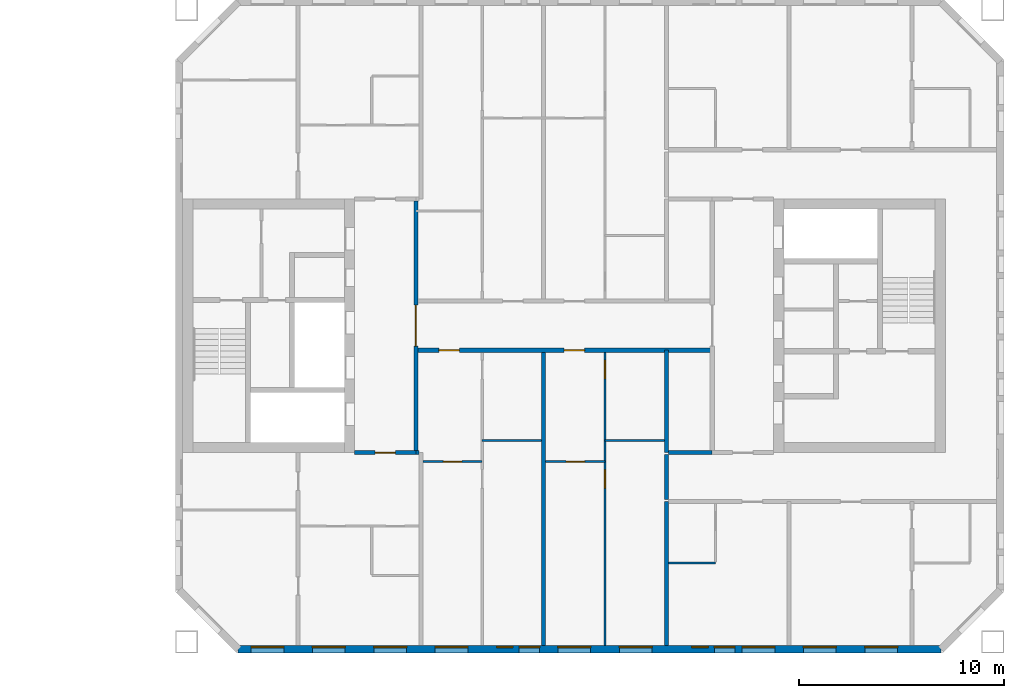
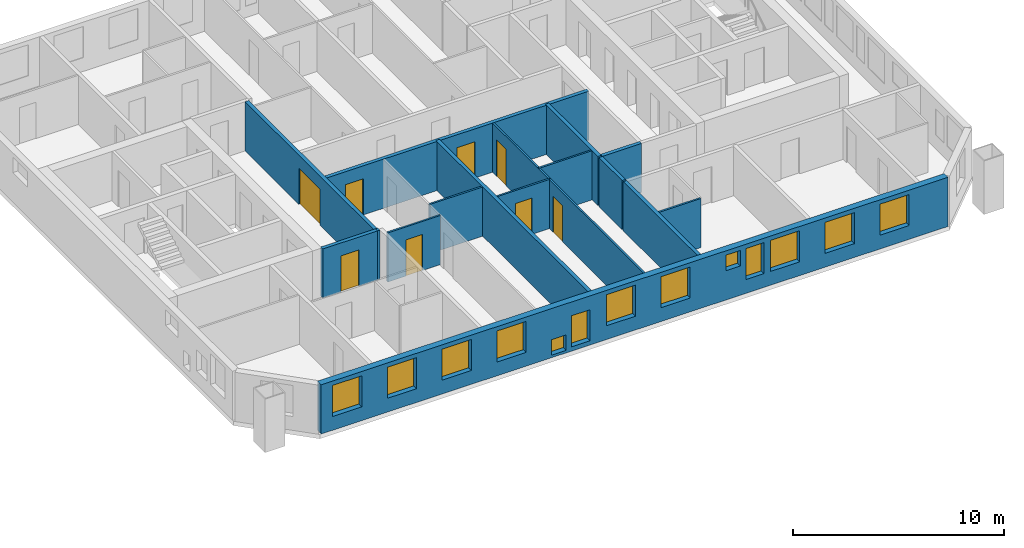
# One storey, part 9 of 15: 16 walls, 13 windows, 8 doors, 21 openings.
"""IFC4 building model written with IfcOpenShell, lengths in metres."""

from ifc_helpers import new_model, si_unit, direction, frame, frame_2d, origin, place, context, subcontext, project, spatial, rectangle, extrude, material, layer, layer_set, type_object, element, fill, save


model = new_model("IFC4")

# Units and contexts
model_context = context("Model", 3, precision=1e-05, world=origin(), true_north=direction((0.0, 1.0)))
body_context = subcontext(model_context, "Body", "Model", "MODEL_VIEW")
ifc_project = project(units=[si_unit("LENGTHUNIT", "METRE"), si_unit("AREAUNIT", "SQUARE_METRE"), si_unit("VOLUMEUNIT", "CUBIC_METRE"), si_unit("PLANEANGLEUNIT", "RADIAN"), si_unit("MASSUNIT", "GRAM", prefix="KILO")], contexts=[model_context])

# Site, building, storey
site_placement = place(None, origin())
site = spatial("IfcSite", under=ifc_project, at=site_placement, CompositionType="ELEMENT")
building_placement = place(site_placement, origin())
building = spatial("IfcBuilding", under=site, at=building_placement, Name="Tuart Gate Housing", CompositionType="ELEMENT")
storey_placement = place(building_placement, frame((0.0, 0.0, 160.89990234375)))
storey = spatial("IfcBuildingStorey", under=building, at=storey_placement, Name="L45", CompositionType="ELEMENT", Elevation=160.89990234375)

# Wall, openings, windows
ifc_material_1 = material(Name="Brick", Category="masonry")
ifc_layer_1 = layer(ifc_material_1, 0.360107421875)
ifc_layer_set_1 = layer_set([ifc_layer_1], Name="Brick pier and spandrel wall 360")
wall_type_1 = type_object("IfcWallType", Name="Brick pier and spandrel wall 360", PredefinedType="STANDARD", material=ifc_layer_set_1)
wall_1_placement = place(storey_placement, frame((134.07470703125, 54.179931640625, 0.0), z_axis=(0.0, 0.0, 1.0), x_axis=(1.0, 0.0, 0.0)))
wall_1 = element("IfcWall", 1, at=wall_1_placement, inside=storey, type_object=wall_type_1, Name="External wall B-S L45", PredefinedType="STANDARD", context=body_context, shape_type="SweptSolid", body=[
    extrude(rectangle(XDim=34.350830078125, YDim=0.360107421875, at=frame_2d((17.17529296875, 0.0))), origin(), (0.0, 0.0, 1.0), 2.85009765625),
])
opening_1_placement = place(wall_1_placement, frame((0.62548828125, 0.0, 0.800048828125)))
opening_1 = element("IfcOpeningElement", 2, at=opening_1_placement, cuts=wall_1, Name="Opening W1", PredefinedType="OPENING", context=body_context, shape_type="SweptSolid", body=[
    extrude(rectangle(XDim=1.60009765625, YDim=1.800048828125, at=frame_2d((0.800048828125, 0.89990234375))), frame((0.0, 0.18994140625, 0.0), z_axis=(0.0, -1.0, 0.0), x_axis=(1.0, 0.0, 0.0)), (0.0, 0.0, 1.0), 0.380126953125),
])
opening_2_placement = place(wall_1_placement, frame((3.62548828125, 0.0, 0.800048828125)))
opening_2 = element("IfcOpeningElement", 3, at=opening_2_placement, cuts=wall_1, Name="Opening W1", PredefinedType="OPENING", context=body_context, shape_type="SweptSolid", body=[
    extrude(rectangle(XDim=1.60009765625, YDim=1.800048828125, at=frame_2d((0.800048828125, 0.89990234375))), frame((0.0, 0.18994140625, 0.0), z_axis=(0.0, -1.0, 0.0), x_axis=(1.0, 0.0, 0.0)), (0.0, 0.0, 1.0), 0.380126953125),
])
opening_3_placement = place(wall_1_placement, frame((6.62548828125, 0.0, 0.800048828125)))
opening_3 = element("IfcOpeningElement", 4, at=opening_3_placement, cuts=wall_1, Name="Opening W1", PredefinedType="OPENING", context=body_context, shape_type="SweptSolid", body=[
    extrude(rectangle(XDim=1.60009765625, YDim=1.800048828125, at=frame_2d((0.800048828125, 0.89990234375))), frame((0.0, 0.18994140625, 0.0), z_axis=(0.0, -1.0, 0.0), x_axis=(1.0, 0.0, 0.0)), (0.0, 0.0, 1.0), 0.380126953125),
])
opening_4_placement = place(wall_1_placement, frame((9.62548828125, 0.0, 0.800048828125)))
opening_4 = element("IfcOpeningElement", 5, at=opening_4_placement, cuts=wall_1, Name="Opening W1", PredefinedType="OPENING", context=body_context, shape_type="SweptSolid", body=[
    extrude(rectangle(XDim=1.60009765625, YDim=1.800048828125, at=frame_2d((0.800048828125, 0.89990234375))), frame((0.0, 0.18994140625, 0.0), z_axis=(0.0, -1.0, 0.0), x_axis=(1.0, 0.0, 0.0)), (0.0, 0.0, 1.0), 0.380126953125),
])
opening_5_placement = place(wall_1_placement, frame((12.62548828125, 0.0, 0.14990234375)))
opening_5 = element("IfcOpeningElement", 6, at=opening_5_placement, cuts=wall_1, Name="Opening W1V", PredefinedType="OPENING", context=body_context, shape_type="SweptSolid", body=[
    extrude(rectangle(XDim=0.800048828125, YDim=0.89990234375, at=frame_2d((0.39990234375, 0.449951171875))), frame((0.0, 0.18994140625, 0.0), z_axis=(0.0, -1.0, 0.0), x_axis=(1.0, 0.0, 0.0)), (0.0, 0.0, 1.0), 0.380126953125),
])
opening_6_placement = place(wall_1_placement, frame((15.62548828125, 0.0, 0.800048828125)))
opening_6 = element("IfcOpeningElement", 7, at=opening_6_placement, cuts=wall_1, Name="Opening W1", PredefinedType="OPENING", context=body_context, shape_type="SweptSolid", body=[
    extrude(rectangle(XDim=1.60009765625, YDim=1.800048828125, at=frame_2d((0.800048828125, 0.89990234375))), frame((0.0, 0.18994140625, 0.0), z_axis=(0.0, -1.0, 0.0), x_axis=(1.0, 0.0, 0.0)), (0.0, 0.0, 1.0), 0.380126953125),
])
opening_7_placement = place(wall_1_placement, frame((18.62548828125, 0.0, 0.800048828125)))
opening_7 = element("IfcOpeningElement", 8, at=opening_7_placement, cuts=wall_1, Name="Opening W1", PredefinedType="OPENING", context=body_context, shape_type="SweptSolid", body=[
    extrude(rectangle(XDim=1.60009765625, YDim=1.800048828125, at=frame_2d((0.800048828125, 0.89990234375))), frame((0.0, 0.18994140625, 0.0), z_axis=(0.0, -1.0, 0.0), x_axis=(1.0, 0.0, 0.0)), (0.0, 0.0, 1.0), 0.380126953125),
])
opening_8_placement = place(wall_1_placement, frame((22.17529296875, 0.0, 1.699951171875)))
opening_8 = element("IfcOpeningElement", 9, at=opening_8_placement, cuts=wall_1, Name="Opening W1V", PredefinedType="OPENING", context=body_context, shape_type="SweptSolid", body=[
    extrude(rectangle(XDim=0.800048828125, YDim=0.89990234375, at=frame_2d((0.39990234375, 0.449951171875))), frame((0.0, 0.18994140625, 0.0), z_axis=(0.0, -1.0, 0.0), x_axis=(1.0, 0.0, 0.0)), (0.0, 0.0, 1.0), 0.380126953125),
])
opening_9_placement = place(wall_1_placement, frame((24.62548828125, 0.0, 0.800048828125)))
opening_9 = element("IfcOpeningElement", 10, at=opening_9_placement, cuts=wall_1, Name="Opening W1", PredefinedType="OPENING", context=body_context, shape_type="SweptSolid", body=[
    extrude(rectangle(XDim=1.60009765625, YDim=1.800048828125, at=frame_2d((0.800048828125, 0.89990234375))), frame((0.0, 0.18994140625, 0.0), z_axis=(0.0, -1.0, 0.0), x_axis=(1.0, 0.0, 0.0)), (0.0, 0.0, 1.0), 0.380126953125),
])
opening_10_placement = place(wall_1_placement, frame((27.62548828125, 0.0, 0.800048828125)))
opening_10 = element("IfcOpeningElement", 11, at=opening_10_placement, cuts=wall_1, Name="Opening W1", PredefinedType="OPENING", context=body_context, shape_type="SweptSolid", body=[
    extrude(rectangle(XDim=1.60009765625, YDim=1.800048828125, at=frame_2d((0.800048828125, 0.89990234375))), frame((0.0, 0.18994140625, 0.0), z_axis=(0.0, -1.0, 0.0), x_axis=(1.0, 0.0, 0.0)), (0.0, 0.0, 1.0), 0.380126953125),
])
opening_11_placement = place(wall_1_placement, frame((30.62548828125, 0.0, 0.800048828125)))
opening_11 = element("IfcOpeningElement", 12, at=opening_11_placement, cuts=wall_1, Name="Opening W1", PredefinedType="OPENING", context=body_context, shape_type="SweptSolid", body=[
    extrude(rectangle(XDim=1.60009765625, YDim=1.800048828125, at=frame_2d((0.800048828125, 0.89990234375))), frame((0.0, 0.18994140625, 0.0), z_axis=(0.0, -1.0, 0.0), x_axis=(1.0, 0.0, 0.0)), (0.0, 0.0, 1.0), 0.380126953125),
])
opening_12_placement = place(wall_1_placement, frame((13.725341796875, 0.0, 0.25)))
opening_12 = element("IfcOpeningElement", 13, at=opening_12_placement, cuts=wall_1, Name="Opening W1C", PredefinedType="OPENING", context=body_context, shape_type="SweptSolid", body=[
    extrude(rectangle(XDim=1.0, YDim=1.800048828125, at=frame_2d((0.5, 0.89990234375))), frame((0.0, 0.18994140625, 0.0), z_axis=(0.0, -1.0, 0.0), x_axis=(1.0, 0.0, 0.0)), (0.0, 0.0, 1.0), 0.380126953125),
])
opening_13_placement = place(wall_1_placement, frame((23.275390625, 0.0, 0.800048828125)))
opening_13 = element("IfcOpeningElement", 14, at=opening_13_placement, cuts=wall_1, Name="Opening W1C", PredefinedType="OPENING", context=body_context, shape_type="SweptSolid", body=[
    extrude(rectangle(XDim=1.0, YDim=1.800048828125, at=frame_2d((0.5, 0.89990234375))), frame((0.0, 0.18994140625, 0.0), z_axis=(0.0, -1.0, 0.0), x_axis=(1.0, 0.0, 0.0)), (0.0, 0.0, 1.0), 0.380126953125),
])
ifc_material_2 = material(Name="Aluminium frame with clear glass", Category="aluminium")
window_type_1 = type_object("IfcWindowType", Name="Punched window 1000 x 1800", PartitioningType="SINGLE_PANEL", PredefinedType="WINDOW", material=ifc_material_2)
window_1_placement = place(opening_12_placement, origin())
window_1 = element("IfcWindow", 15, at=window_1_placement, inside=storey, type_object=window_type_1, Name="Window W1C", OverallHeight=1.800048828125, OverallWidth=1.0, PartitioningType="SINGLE_PANEL", PredefinedType="WINDOW", context=body_context, shape_type="SweptSolid", body=[
    extrude(rectangle(XDim=1.0, YDim=1.800048828125, at=frame_2d((0.5, 0.89990234375))), frame((0.0, 0.150146484375, 0.0), z_axis=(0.0, -1.0, 0.0), x_axis=(1.0, 0.0, 0.0)), (0.0, 0.0, 1.0), 0.06005859375),
])
fill(opening_12, window_1)
window_2_placement = place(opening_13_placement, origin())
window_2 = element("IfcWindow", 16, at=window_2_placement, inside=storey, type_object=window_type_1, Name="Window W1C", OverallHeight=1.800048828125, OverallWidth=1.0, PartitioningType="SINGLE_PANEL", PredefinedType="WINDOW", context=body_context, shape_type="SweptSolid", body=[
    extrude(rectangle(XDim=1.0, YDim=1.800048828125, at=frame_2d((0.5, 0.89990234375))), frame((0.0, 0.150146484375, 0.0), z_axis=(0.0, -1.0, 0.0), x_axis=(1.0, 0.0, 0.0)), (0.0, 0.0, 1.0), 0.06005859375),
])
fill(opening_13, window_2)
ifc_material_3 = material(Name="Aluminium frame with clear glass", Category="aluminium")
window_type_2 = type_object("IfcWindowType", Name="Punched window 1600 x 1800", PartitioningType="SINGLE_PANEL", PredefinedType="WINDOW", material=ifc_material_3)
window_3_placement = place(opening_1_placement, origin())
window_3 = element("IfcWindow", 17, at=window_3_placement, inside=storey, type_object=window_type_2, Name="Window W1", OverallHeight=1.800048828125, OverallWidth=1.60009765625, PartitioningType="SINGLE_PANEL", PredefinedType="WINDOW", context=body_context, shape_type="SweptSolid", body=[
    extrude(rectangle(XDim=1.60009765625, YDim=1.800048828125, at=frame_2d((0.800048828125, 0.89990234375))), frame((0.0, 0.150146484375, 0.0), z_axis=(0.0, -1.0, 0.0), x_axis=(1.0, 0.0, 0.0)), (0.0, 0.0, 1.0), 0.06005859375),
])
fill(opening_1, window_3)
window_4_placement = place(opening_2_placement, origin())
window_4 = element("IfcWindow", 18, at=window_4_placement, inside=storey, type_object=window_type_2, Name="Window W1", OverallHeight=1.800048828125, OverallWidth=1.60009765625, PartitioningType="SINGLE_PANEL", PredefinedType="WINDOW", context=body_context, shape_type="SweptSolid", body=[
    extrude(rectangle(XDim=1.60009765625, YDim=1.800048828125, at=frame_2d((0.800048828125, 0.89990234375))), frame((0.0, 0.150146484375, 0.0), z_axis=(0.0, -1.0, 0.0), x_axis=(1.0, 0.0, 0.0)), (0.0, 0.0, 1.0), 0.06005859375),
])
fill(opening_2, window_4)
window_5_placement = place(opening_3_placement, origin())
window_5 = element("IfcWindow", 19, at=window_5_placement, inside=storey, type_object=window_type_2, Name="Window W1", OverallHeight=1.800048828125, OverallWidth=1.60009765625, PartitioningType="SINGLE_PANEL", PredefinedType="WINDOW", context=body_context, shape_type="SweptSolid", body=[
    extrude(rectangle(XDim=1.60009765625, YDim=1.800048828125, at=frame_2d((0.800048828125, 0.89990234375))), frame((0.0, 0.150146484375, 0.0), z_axis=(0.0, -1.0, 0.0), x_axis=(1.0, 0.0, 0.0)), (0.0, 0.0, 1.0), 0.06005859375),
])
fill(opening_3, window_5)
window_6_placement = place(opening_4_placement, origin())
window_6 = element("IfcWindow", 20, at=window_6_placement, inside=storey, type_object=window_type_2, Name="Window W1", OverallHeight=1.800048828125, OverallWidth=1.60009765625, PartitioningType="SINGLE_PANEL", PredefinedType="WINDOW", context=body_context, shape_type="SweptSolid", body=[
    extrude(rectangle(XDim=1.60009765625, YDim=1.800048828125, at=frame_2d((0.800048828125, 0.89990234375))), frame((0.0, 0.150146484375, 0.0), z_axis=(0.0, -1.0, 0.0), x_axis=(1.0, 0.0, 0.0)), (0.0, 0.0, 1.0), 0.06005859375),
])
fill(opening_4, window_6)
window_7_placement = place(opening_6_placement, origin())
window_7 = element("IfcWindow", 21, at=window_7_placement, inside=storey, type_object=window_type_2, Name="Window W1", OverallHeight=1.800048828125, OverallWidth=1.60009765625, PartitioningType="SINGLE_PANEL", PredefinedType="WINDOW", context=body_context, shape_type="SweptSolid", body=[
    extrude(rectangle(XDim=1.60009765625, YDim=1.800048828125, at=frame_2d((0.800048828125, 0.89990234375))), frame((0.0, 0.150146484375, 0.0), z_axis=(0.0, -1.0, 0.0), x_axis=(1.0, 0.0, 0.0)), (0.0, 0.0, 1.0), 0.06005859375),
])
fill(opening_6, window_7)
window_8_placement = place(opening_7_placement, origin())
window_8 = element("IfcWindow", 22, at=window_8_placement, inside=storey, type_object=window_type_2, Name="Window W1", OverallHeight=1.800048828125, OverallWidth=1.60009765625, PartitioningType="SINGLE_PANEL", PredefinedType="WINDOW", context=body_context, shape_type="SweptSolid", body=[
    extrude(rectangle(XDim=1.60009765625, YDim=1.800048828125, at=frame_2d((0.800048828125, 0.89990234375))), frame((0.0, 0.150146484375, 0.0), z_axis=(0.0, -1.0, 0.0), x_axis=(1.0, 0.0, 0.0)), (0.0, 0.0, 1.0), 0.06005859375),
])
fill(opening_7, window_8)
window_9_placement = place(opening_9_placement, origin())
window_9 = element("IfcWindow", 23, at=window_9_placement, inside=storey, type_object=window_type_2, Name="Window W1", OverallHeight=1.800048828125, OverallWidth=1.60009765625, PartitioningType="SINGLE_PANEL", PredefinedType="WINDOW", context=body_context, shape_type="SweptSolid", body=[
    extrude(rectangle(XDim=1.60009765625, YDim=1.800048828125, at=frame_2d((0.800048828125, 0.89990234375))), frame((0.0, 0.150146484375, 0.0), z_axis=(0.0, -1.0, 0.0), x_axis=(1.0, 0.0, 0.0)), (0.0, 0.0, 1.0), 0.06005859375),
])
fill(opening_9, window_9)
window_10_placement = place(opening_10_placement, origin())
window_10 = element("IfcWindow", 24, at=window_10_placement, inside=storey, type_object=window_type_2, Name="Window W1", OverallHeight=1.800048828125, OverallWidth=1.60009765625, PartitioningType="SINGLE_PANEL", PredefinedType="WINDOW", context=body_context, shape_type="SweptSolid", body=[
    extrude(rectangle(XDim=1.60009765625, YDim=1.800048828125, at=frame_2d((0.800048828125, 0.89990234375))), frame((0.0, 0.150146484375, 0.0), z_axis=(0.0, -1.0, 0.0), x_axis=(1.0, 0.0, 0.0)), (0.0, 0.0, 1.0), 0.06005859375),
])
fill(opening_10, window_10)
window_11_placement = place(opening_11_placement, origin())
window_11 = element("IfcWindow", 25, at=window_11_placement, inside=storey, type_object=window_type_2, Name="Window W1", OverallHeight=1.800048828125, OverallWidth=1.60009765625, PartitioningType="SINGLE_PANEL", PredefinedType="WINDOW", context=body_context, shape_type="SweptSolid", body=[
    extrude(rectangle(XDim=1.60009765625, YDim=1.800048828125, at=frame_2d((0.800048828125, 0.89990234375))), frame((0.0, 0.150146484375, 0.0), z_axis=(0.0, -1.0, 0.0), x_axis=(1.0, 0.0, 0.0)), (0.0, 0.0, 1.0), 0.06005859375),
])
fill(opening_11, window_11)
ifc_material_4 = material(Name="Aluminium frame with clear glass", Category="aluminium")
window_type_3 = type_object("IfcWindowType", Name="Punched window 800 x 900", PartitioningType="SINGLE_PANEL", PredefinedType="WINDOW", material=ifc_material_4)
window_12_placement = place(opening_5_placement, origin())
window_12 = element("IfcWindow", 26, at=window_12_placement, inside=storey, type_object=window_type_3, Name="Window W1V", OverallHeight=0.89990234375, OverallWidth=0.800048828125, PartitioningType="SINGLE_PANEL", PredefinedType="WINDOW", context=body_context, shape_type="SweptSolid", body=[
    extrude(rectangle(XDim=0.800048828125, YDim=0.89990234375, at=frame_2d((0.39990234375, 0.449951171875))), frame((0.0, 0.150146484375, 0.0), z_axis=(0.0, -1.0, 0.0), x_axis=(1.0, 0.0, 0.0)), (0.0, 0.0, 1.0), 0.06005859375),
])
fill(opening_5, window_12)
window_13_placement = place(opening_8_placement, origin())
window_13 = element("IfcWindow", 27, at=window_13_placement, inside=storey, type_object=window_type_3, Name="Window W1V", OverallHeight=0.89990234375, OverallWidth=0.800048828125, PartitioningType="SINGLE_PANEL", PredefinedType="WINDOW", context=body_context, shape_type="SweptSolid", body=[
    extrude(rectangle(XDim=0.800048828125, YDim=0.89990234375, at=frame_2d((0.39990234375, 0.449951171875))), frame((0.0, 0.150146484375, 0.0), z_axis=(0.0, -1.0, 0.0), x_axis=(1.0, 0.0, 0.0)), (0.0, 0.0, 1.0), 0.06005859375),
])
fill(opening_8, window_13)

# Wall
ifc_material_5 = material(Name="Concrete masonry 15 MPa", Category="masonry")
ifc_layer_2 = layer(ifc_material_5, 0.199951171875)
ifc_layer_set_2 = layer_set([ifc_layer_2], Name="Corridor wall masonry 200")
wall_type_2 = type_object("IfcWallType", Name="Corridor wall masonry 200", PredefinedType="PARTITIONING", material=ifc_layer_set_2)
wall_2_placement = place(storey_placement, frame((155.10009765625, 63.800048828125, 0.0), z_axis=(0.0, 0.0, 1.0), x_axis=(1.0, 0.0, 0.0)))
element("IfcWall", 28, at=wall_2_placement, inside=storey, type_object=wall_type_2, Name="Corridor wall masonry 200", PredefinedType="PARTITIONING", context=body_context, shape_type="SweptSolid", body=[
    extrude(rectangle(XDim=2.139892578125, YDim=0.199951171875, at=frame_2d((1.06982421875, 0.0))), origin(), (0.0, 0.0, 1.0), 2.85009765625),
])

# Wall, openings, doors
wall_3_placement = place(storey_placement, frame((142.760009765625, 68.800048828125, 0.0), z_axis=(0.0, 0.0, 1.0), x_axis=(1.0, 0.0, 0.0)))
wall_3 = element("IfcWall", 29, at=wall_3_placement, inside=storey, type_object=wall_type_2, Name="Corridor wall masonry 200", PredefinedType="PARTITIONING", context=body_context, shape_type="SweptSolid", body=[
    extrude(rectangle(XDim=14.47998046875, YDim=0.199951171875, at=frame_2d((7.239990234375, 0.0))), origin(), (0.0, 0.0, 1.0), 2.85009765625),
])
opening_14_placement = place(wall_3_placement, frame((1.1201171875, 0.0, 0.0)))
opening_14 = element("IfcOpeningElement", 30, at=opening_14_placement, cuts=wall_3, Name="Opening D1712", PredefinedType="OPENING", context=body_context, shape_type="SweptSolid", body=[
    extrude(rectangle(XDim=1.0, YDim=2.10009765625, at=frame_2d((0.5, 1.050048828125))), frame((0.0, 0.10986328125, 0.0), z_axis=(0.0, -1.0, 0.0), x_axis=(1.0, 0.0, 0.0)), (0.0, 0.0, 1.0), 0.219970703125),
])
opening_15_placement = place(wall_3_placement, frame((7.239990234375, 0.0, 0.0)))
opening_15 = element("IfcOpeningElement", 31, at=opening_15_placement, cuts=wall_3, Name="Opening D1713", PredefinedType="OPENING", context=body_context, shape_type="SweptSolid", body=[
    extrude(rectangle(XDim=1.0, YDim=2.10009765625, at=frame_2d((0.5, 1.050048828125))), frame((0.0, 0.10986328125, 0.0), z_axis=(0.0, -1.0, 0.0), x_axis=(1.0, 0.0, 0.0)), (0.0, 0.0, 1.0), 0.219970703125),
])
ifc_material_6 = material(Name="Timber door leaf in steel frame", Category="steel")
door_type_1 = type_object("IfcDoorType", Name="Flat entrance door 1000 RH", OperationType="SINGLE_SWING_RIGHT", PredefinedType="DOOR", material=ifc_material_6)
door_1_placement = place(opening_14_placement, frame((1.0, 0.0, 0.0), z_axis=(0.0, 0.0, 1.0), x_axis=(-1.0, 0.0, 0.0)))
door_1 = element("IfcDoor", 32, at=door_1_placement, inside=storey, type_object=door_type_1, Name="Flat entrance door", OperationType="SINGLE_SWING_RIGHT", OverallHeight=2.10009765625, OverallWidth=1.0, PredefinedType="DOOR", context=body_context, shape_type="SweptSolid", body=[
    extrude(rectangle(XDim=1.0, YDim=2.10009765625, at=frame_2d((0.5, 1.050048828125))), frame((0.0, 0.025146484375, 0.0), z_axis=(0.0, -1.0, 0.0), x_axis=(1.0, 0.0, 0.0)), (0.0, 0.0, 1.0), 0.050048828125),
])
fill(opening_14, door_1)
door_2_placement = place(opening_15_placement, frame((1.0, 0.0, 0.0), z_axis=(0.0, 0.0, 1.0), x_axis=(-1.0, 0.0, 0.0)))
door_2 = element("IfcDoor", 33, at=door_2_placement, inside=storey, type_object=door_type_1, Name="Flat entrance door", OperationType="SINGLE_SWING_RIGHT", OverallHeight=2.10009765625, OverallWidth=1.0, PredefinedType="DOOR", context=body_context, shape_type="SweptSolid", body=[
    extrude(rectangle(XDim=1.0, YDim=2.10009765625, at=frame_2d((0.5, 1.050048828125))), frame((0.0, 0.025146484375, 0.0), z_axis=(0.0, -1.0, 0.0), x_axis=(1.0, 0.0, 0.0)), (0.0, 0.0, 1.0), 0.050048828125),
])
fill(opening_15, door_2)

# Wall
wall_4_placement = place(storey_placement, frame((155.0, 61.5, 0.0), z_axis=(0.0, 0.0, 1.0), x_axis=(0.0, 1.0, 0.0)))
element("IfcWall", 34, at=wall_4_placement, inside=storey, type_object=wall_type_2, Name="Corridor wall masonry 200", PredefinedType="PARTITIONING", context=body_context, shape_type="SweptSolid", body=[
    extrude(rectangle(XDim=2.199951171875, YDim=0.199951171875, at=frame_2d((1.10009765625, 0.0))), origin(), (0.0, 0.0, 1.0), 2.85009765625),
])

# Wall, opening, door
ifc_material_7 = material(Name="Concrete masonry 15 MPa", Category="masonry")
ifc_layer_3 = layer(ifc_material_7, 0.199951171875)
ifc_layer_set_3 = layer_set([ifc_layer_3], Name="Enclosure wall masonry 200")
wall_type_3 = type_object("IfcWallType", Name="Enclosure wall masonry 200", PredefinedType="PARTITIONING", material=ifc_layer_set_3)
wall_5_placement = place(storey_placement, frame((139.760009765625, 63.800048828125, 0.0), z_axis=(0.0, 0.0, 1.0), x_axis=(1.0, 0.0, 0.0)))
wall_5 = element("IfcWall", 35, at=wall_5_placement, inside=storey, type_object=wall_type_3, Name="Enclosure wall masonry 200", PredefinedType="PARTITIONING", context=body_context, shape_type="SweptSolid", body=[
    extrude(rectangle(XDim=3.0, YDim=0.199951171875, at=frame_2d((1.5, 0.0))), origin(), (0.0, 0.0, 1.0), 2.85009765625),
])
opening_16_placement = place(wall_5_placement, frame((1.0, 0.0, 0.0)))
opening_16 = element("IfcOpeningElement", 36, at=opening_16_placement, cuts=wall_5, Name="Opening D1716", PredefinedType="OPENING", context=body_context, shape_type="SweptSolid", body=[
    extrude(rectangle(XDim=1.0, YDim=2.10009765625, at=frame_2d((0.5, 1.050048828125))), frame((0.0, 0.10986328125, 0.0), z_axis=(0.0, -1.0, 0.0), x_axis=(1.0, 0.0, 0.0)), (0.0, 0.0, 1.0), 0.219970703125),
])
ifc_material_8 = material(Name="Timber door leaf in steel frame", Category="steel")
door_type_2 = type_object("IfcDoorType", Name="Flat entrance door 1000", OperationType="SINGLE_SWING_LEFT", PredefinedType="DOOR", material=ifc_material_8)
door_3_placement = place(opening_16_placement, frame((1.0, 0.0, 0.0), z_axis=(0.0, 0.0, 1.0), x_axis=(-1.0, 0.0, 0.0)))
door_3 = element("IfcDoor", 37, at=door_3_placement, inside=storey, type_object=door_type_2, Name="Flat entrance door", OperationType="SINGLE_SWING_LEFT", OverallHeight=2.10009765625, OverallWidth=1.0, PredefinedType="DOOR", context=body_context, shape_type="SweptSolid", body=[
    extrude(rectangle(XDim=1.0, YDim=2.10009765625, at=frame_2d((0.5, 1.050048828125))), frame((0.0, 0.025146484375, 0.0), z_axis=(0.0, -1.0, 0.0), x_axis=(1.0, 0.0, 0.0)), (0.0, 0.0, 1.0), 0.050048828125),
])
fill(opening_16, door_3)

ifc_material_9 = material(Name="Plasterboard partition")
ifc_layer_4 = layer(ifc_material_9, 0.199951171875)
ifc_layer_set_4 = layer_set([ifc_layer_4], Name="Lobby wall 200")
wall_type_4 = type_object("IfcWallType", Name="Lobby wall 200", PredefinedType="PARTITIONING", material=ifc_layer_set_4)
wall_6_placement = place(storey_placement, frame((142.760009765625, 63.89990234375, 0.0), z_axis=(0.0, 0.0, 1.0), x_axis=(0.0, 1.0, 0.0)))
wall_6 = element("IfcWall", 38, at=wall_6_placement, inside=storey, type_object=wall_type_4, Name="Lift lobby wall BG", PredefinedType="PARTITIONING", context=body_context, shape_type="SweptSolid", body=[
    extrude(rectangle(XDim=12.2001953125, YDim=0.199951171875, at=frame_2d((6.10009765625, 0.0))), origin(), (0.0, 0.0, 1.0), 2.85009765625),
])
opening_17_placement = place(wall_6_placement, frame((5.10009765625, 0.0, 0.0)))
opening_17 = element("IfcOpeningElement", 39, at=opening_17_placement, cuts=wall_6, Name="Opening D1706", PredefinedType="OPENING", context=body_context, shape_type="SweptSolid", body=[
    extrude(rectangle(XDim=2.0, YDim=2.10009765625, at=frame_2d((1.0, 1.050048828125))), frame((0.0, 0.10986328125, 0.0), z_axis=(0.0, -1.0, 0.0), x_axis=(1.0, 0.0, 0.0)), (0.0, 0.0, 1.0), 0.219970703125),
])
ifc_material_10 = material(Name="Steel fire door", Category="steel")
door_type_3 = type_object("IfcDoorType", Name="Smoke door 2000 x 2100", OperationType="DOUBLE_DOOR_SINGLE_SWING", PredefinedType="DOOR", material=ifc_material_10)
door_4_placement = place(opening_17_placement, origin())
door_4 = element("IfcDoor", 40, at=door_4_placement, inside=storey, type_object=door_type_3, Name="Lift lobby smoke door BG", OperationType="DOUBLE_DOOR_SINGLE_SWING", OverallHeight=2.10009765625, OverallWidth=2.0, PredefinedType="DOOR", context=body_context, shape_type="SweptSolid", body=[
    extrude(rectangle(XDim=2.0, YDim=2.10009765625, at=frame_2d((1.0, 1.050048828125))), frame((0.0, 0.02490234375, 0.0), z_axis=(0.0, -1.0, 0.0), x_axis=(1.0, 0.0, 0.0)), (0.0, 0.0, 1.0), 0.050048828125),
])
fill(opening_17, door_4)

# Wall
ifc_material_11 = material(Name="Gypsum board on steel studs", Category="steel")
ifc_layer_5 = layer(ifc_material_11, 0.10009765625)
ifc_layer_set_5 = layer_set([ifc_layer_5], Name="Partition 100")
wall_type_5 = type_object("IfcWallType", Name="Partition 100", PredefinedType="PARTITIONING", material=ifc_layer_set_5)
wall_7_placement = place(storey_placement, frame((155.10009765625, 58.39990234375, 0.0), z_axis=(0.0, 0.0, 1.0), x_axis=(1.0, 0.0, 0.0)))
element("IfcWall", 41, at=wall_7_placement, inside=storey, type_object=wall_type_5, Name="Partition 100", PredefinedType="PARTITIONING", context=body_context, shape_type="SweptSolid", body=[
    extrude(rectangle(XDim=2.2998046875, YDim=0.10009765625, at=frame_2d((1.14990234375, 0.0))), origin(), (0.0, 0.0, 1.0), 2.85009765625),
])

# Wall, opening, door
wall_8_placement = place(storey_placement, frame((143.10009765625, 63.360107421875, 0.0), z_axis=(0.0, 0.0, 1.0), x_axis=(1.0, 0.0, 0.0)))
wall_8 = element("IfcWall", 42, at=wall_8_placement, inside=storey, type_object=wall_type_5, Name="Partition 100", PredefinedType="PARTITIONING", context=body_context, shape_type="SweptSolid", body=[
    extrude(rectangle(XDim=2.89990234375, YDim=0.10009765625, at=frame_2d((1.449951171875, 0.0))), origin(), (0.0, 0.0, 1.0), 2.85009765625),
])
opening_18_placement = place(wall_8_placement, frame((1.0, 0.0, 0.0)))
opening_18 = element("IfcOpeningElement", 43, at=opening_18_placement, cuts=wall_8, Name="Opening D1718", PredefinedType="OPENING", context=body_context, shape_type="SweptSolid", body=[
    extrude(rectangle(XDim=0.89990234375, YDim=2.10009765625, at=frame_2d((0.449951171875, 1.050048828125))), frame((0.0, 0.06005859375, 0.0), z_axis=(0.0, -1.0, 0.0), x_axis=(1.0, 0.0, 0.0)), (0.0, 0.0, 1.0), 0.1201171875),
])
ifc_material_12 = material(Name="Timber door leaf in steel frame", Category="steel")
door_type_4 = type_object("IfcDoorType", Name="Internal door 900 RH", OperationType="SINGLE_SWING_RIGHT", PredefinedType="DOOR", material=ifc_material_12)
door_5_placement = place(opening_18_placement, origin())
door_5 = element("IfcDoor", 44, at=door_5_placement, inside=storey, type_object=door_type_4, Name="Internal door", OperationType="SINGLE_SWING_RIGHT", OverallHeight=2.10009765625, OverallWidth=0.89990234375, PredefinedType="DOOR", context=body_context, shape_type="SweptSolid", body=[
    extrude(rectangle(XDim=0.89990234375, YDim=2.10009765625, at=frame_2d((0.449951171875, 1.050048828125))), frame((0.0, 0.02490234375, 0.0), z_axis=(0.0, -1.0, 0.0), x_axis=(1.0, 0.0, 0.0)), (0.0, 0.0, 1.0), 0.050048828125),
])
fill(opening_18, door_5)

wall_9_placement = place(storey_placement, frame((149.10009765625, 63.360107421875, 0.0), z_axis=(0.0, 0.0, 1.0), x_axis=(1.0, 0.0, 0.0)))
wall_9 = element("IfcWall", 45, at=wall_9_placement, inside=storey, type_object=wall_type_5, Name="Partition 100", PredefinedType="PARTITIONING", context=body_context, shape_type="SweptSolid", body=[
    extrude(rectangle(XDim=2.89990234375, YDim=0.10009765625, at=frame_2d((1.449951171875, 0.0))), origin(), (0.0, 0.0, 1.0), 2.85009765625),
])
opening_19_placement = place(wall_9_placement, frame((1.0, 0.0, 0.0)))
opening_19 = element("IfcOpeningElement", 46, at=opening_19_placement, cuts=wall_9, Name="Opening D1719", PredefinedType="OPENING", context=body_context, shape_type="SweptSolid", body=[
    extrude(rectangle(XDim=0.89990234375, YDim=2.10009765625, at=frame_2d((0.449951171875, 1.050048828125))), frame((0.0, 0.06005859375, 0.0), z_axis=(0.0, -1.0, 0.0), x_axis=(1.0, 0.0, 0.0)), (0.0, 0.0, 1.0), 0.1201171875),
])
door_6_placement = place(opening_19_placement, origin())
door_6 = element("IfcDoor", 47, at=door_6_placement, inside=storey, type_object=door_type_4, Name="Internal door", OperationType="SINGLE_SWING_RIGHT", OverallHeight=2.10009765625, OverallWidth=0.89990234375, PredefinedType="DOOR", context=body_context, shape_type="SweptSolid", body=[
    extrude(rectangle(XDim=0.89990234375, YDim=2.10009765625, at=frame_2d((0.449951171875, 1.050048828125))), frame((0.0, 0.02490234375, 0.0), z_axis=(0.0, -1.0, 0.0), x_axis=(1.0, 0.0, 0.0)), (0.0, 0.0, 1.0), 0.050048828125),
])
fill(opening_19, door_6)

# Walls
for number, where, z_axis, x_axis, name in (
    (48, (146.0, 64.39990234375, 0.0), (0.0, 0.0, 1.0), (1.0, 0.0, 0.0), "Partition 100"),
    (49, (152.0, 64.39990234375, 0.0), (0.0, 0.0, 1.0), (1.0, 0.0, 0.0), "Partition 100"),
):
    element("IfcWall", number, at=place(storey_placement, frame(where, z_axis=z_axis, x_axis=x_axis)), inside=storey, type_object=wall_type_5, Name=name, PredefinedType="PARTITIONING", context=body_context, shape_type="SweptSolid", body=[
        extrude(rectangle(XDim=2.89990234375, YDim=0.10009765625, at=frame_2d((1.449951171875, 0.0))), origin(), (0.0, 0.0, 1.0), 2.85009765625),
    ])

# Wall, openings, doors
wall_10_placement = place(storey_placement, frame((152.0, 54.360107421875, 0.0), z_axis=(0.0, 0.0, 1.0), x_axis=(0.0, 1.0, 0.0)))
wall_10 = element("IfcWall", 50, at=wall_10_placement, inside=storey, type_object=wall_type_5, Name="Partition 100", PredefinedType="PARTITIONING", context=body_context, shape_type="SweptSolid", body=[
    extrude(rectangle(XDim=14.33984375, YDim=0.10009765625, at=frame_2d((7.169921875, 0.0))), origin(), (0.0, 0.0, 1.0), 2.85009765625),
])
opening_20_placement = place(wall_10_placement, frame((7.699951171875, 0.0, 0.0)))
opening_20 = element("IfcOpeningElement", 51, at=opening_20_placement, cuts=wall_10, Name="Opening D1723", PredefinedType="OPENING", context=body_context, shape_type="SweptSolid", body=[
    extrude(rectangle(XDim=0.89990234375, YDim=2.10009765625, at=frame_2d((0.449951171875, 1.050048828125))), frame((0.0, 0.06005859375, 0.0), z_axis=(0.0, -1.0, 0.0), x_axis=(1.0, 0.0, 0.0)), (0.0, 0.0, 1.0), 0.1201171875),
])
opening_21_placement = place(wall_10_placement, frame((13.0400390625, 0.0, 0.0)))
opening_21 = element("IfcOpeningElement", 52, at=opening_21_placement, cuts=wall_10, Name="Opening D1722", PredefinedType="OPENING", context=body_context, shape_type="SweptSolid", body=[
    extrude(rectangle(XDim=0.89990234375, YDim=2.10009765625, at=frame_2d((0.449951171875, 1.050048828125))), frame((0.0, 0.06005859375, 0.0), z_axis=(0.0, -1.0, 0.0), x_axis=(1.0, 0.0, 0.0)), (0.0, 0.0, 1.0), 0.1201171875),
])
ifc_material_13 = material(Name="Timber door leaf in steel frame", Category="steel")
door_type_5 = type_object("IfcDoorType", Name="Bathroom door 900", OperationType="SINGLE_SWING_LEFT", PredefinedType="DOOR", material=ifc_material_13)
door_7_placement = place(opening_21_placement, frame((0.89990234375, 0.0, 0.0), z_axis=(0.0, 0.0, 1.0), x_axis=(-1.0, 0.0, 0.0)))
door_7 = element("IfcDoor", 53, at=door_7_placement, inside=storey, type_object=door_type_5, Name="Bathroom door", OperationType="SINGLE_SWING_LEFT", OverallHeight=2.10009765625, OverallWidth=0.89990234375, PredefinedType="DOOR", context=body_context, shape_type="SweptSolid", body=[
    extrude(rectangle(XDim=0.89990234375, YDim=2.10009765625, at=frame_2d((0.449951171875, 1.050048828125))), frame((0.0, 0.025146484375, 0.0), z_axis=(0.0, -1.0, 0.0), x_axis=(1.0, 0.0, 0.0)), (0.0, 0.0, 1.0), 0.050048828125),
])
fill(opening_21, door_7)
ifc_material_14 = material(Name="Timber door leaf in steel frame", Category="steel")
door_type_6 = type_object("IfcDoorType", Name="Internal door 900", OperationType="SINGLE_SWING_LEFT", PredefinedType="DOOR", material=ifc_material_14)
door_8_placement = place(opening_20_placement, frame((0.89990234375, 0.0, 0.0), z_axis=(0.0, 0.0, 1.0), x_axis=(-1.0, 0.0, 0.0)))
door_8 = element("IfcDoor", 54, at=door_8_placement, inside=storey, type_object=door_type_6, Name="Internal door", OperationType="SINGLE_SWING_LEFT", OverallHeight=2.10009765625, OverallWidth=0.89990234375, PredefinedType="DOOR", context=body_context, shape_type="SweptSolid", body=[
    extrude(rectangle(XDim=0.89990234375, YDim=2.10009765625, at=frame_2d((0.449951171875, 1.050048828125))), frame((0.0, 0.025146484375, 0.0), z_axis=(0.0, -1.0, 0.0), x_axis=(1.0, 0.0, 0.0)), (0.0, 0.0, 1.0), 0.050048828125),
])
fill(opening_20, door_8)

# Walls
ifc_material_15 = material(Name="Concrete C40", Category="concrete")
ifc_layer_6 = layer(ifc_material_15, 0.199951171875)
ifc_layer_set_6 = layer_set([ifc_layer_6], Name="Party wall concrete C40 200")
wall_type_6 = type_object("IfcWallType", Name="Party wall concrete C40 200", PredefinedType="SOLIDWALL", material=ifc_layer_set_6)
wall_11_placement = place(storey_placement, frame((149.0, 54.360107421875, 0.0), z_axis=(0.0, 0.0, 1.0), x_axis=(0.0, 1.0, 0.0)))
element("IfcWall", 55, at=wall_11_placement, inside=storey, type_object=wall_type_6, Name="Party wall concrete C40 200", PredefinedType="SOLIDWALL", context=body_context, shape_type="SweptSolid", body=[
    extrude(rectangle(XDim=14.43994140625, YDim=0.199951171875, at=frame_2d((7.219970703125, 0.0))), origin(), (0.0, 0.0, 1.0), 2.85009765625),
])
wall_12_placement = place(storey_placement, frame((155.0, 54.360107421875, 0.0), z_axis=(0.0, 0.0, 1.0), x_axis=(0.0, 1.0, 0.0)))
element("IfcWall", 56, at=wall_12_placement, inside=storey, type_object=wall_type_6, Name="Party wall concrete C40 200", PredefinedType="SOLIDWALL", context=body_context, shape_type="SweptSolid", body=[
    extrude(rectangle(XDim=7.039794921875, YDim=0.199951171875, at=frame_2d((3.52001953125, 0.0))), origin(), (0.0, 0.0, 1.0), 2.85009765625),
])
wall_13_placement = place(storey_placement, frame((155.0, 63.800048828125, 0.0), z_axis=(0.0, 0.0, 1.0), x_axis=(0.0, 1.0, 0.0)))
element("IfcWall", 57, at=wall_13_placement, inside=storey, type_object=wall_type_6, Name="Party wall concrete C40 200", PredefinedType="SOLIDWALL", context=body_context, shape_type="SweptSolid", body=[
    extrude(rectangle(XDim=5.0, YDim=0.199951171875, at=frame_2d((2.5, 0.0))), origin(), (0.0, 0.0, 1.0), 2.85009765625),
])
ifc_material_16 = material(Name="Concrete masonry 15 MPa", Category="masonry")
ifc_layer_7 = layer(ifc_material_16, 0.199951171875)
ifc_layer_set_7 = layer_set([ifc_layer_7], Name="Party wall masonry 200")
wall_type_7 = type_object("IfcWallType", Name="Party wall masonry 200", PredefinedType="PARTITIONING", material=ifc_layer_set_7)
wall_14_placement = place(storey_placement, frame((142.760009765625, 63.800048828125, 0.0), z_axis=(0.0, 0.0, 1.0), x_axis=(1.0, 0.0, 0.0)))
element("IfcWall", 58, at=wall_14_placement, inside=storey, type_object=wall_type_7, Name="Party wall masonry 200", PredefinedType="PARTITIONING", context=body_context, shape_type="SweptSolid", body=[
    extrude(rectangle(XDim=0.139892578125, YDim=0.199951171875, at=frame_2d((0.06982421875, 0.0))), origin(), (0.0, 0.0, 1.0), 2.85009765625),
])

save(model, "model.ifc")
